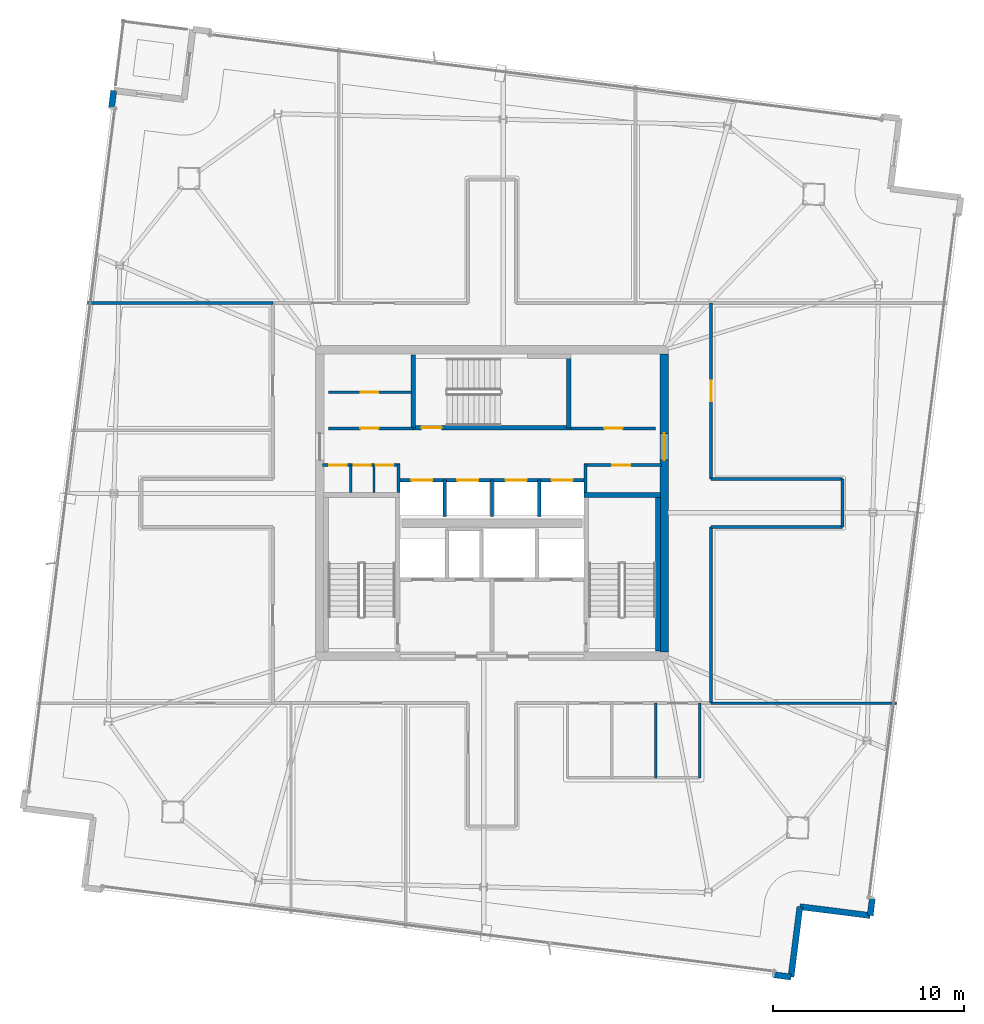
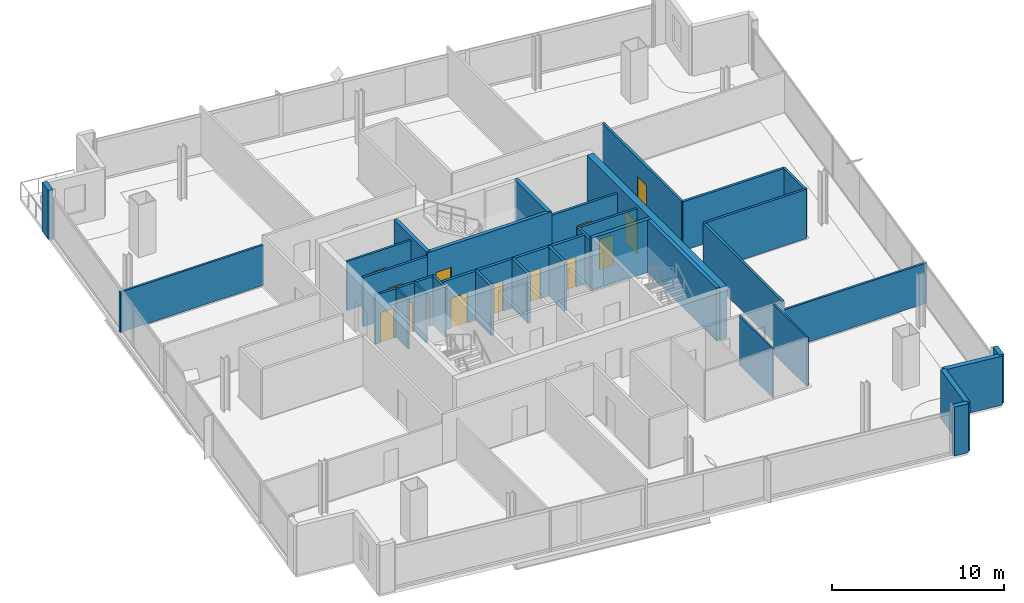
# One storey, part 19 of 23: 33 walls, 14 doors, 14 openings.
"""IFC4 building model written with IfcOpenShell, lengths in metres."""

from ifc_helpers import new_model, si_unit, direction, frame, frame_2d, origin, place, context, subcontext, project, spatial, rectangle, extrude, material, layer, layer_set, type_object, element, fill, save


model = new_model("IFC4")

# Units and contexts
model_context = context("Model", 3, precision=1e-05, world=origin(), true_north=direction((0.0, 1.0)))
body_context = subcontext(model_context, "Body", "Model", "MODEL_VIEW")
ifc_project = project(units=[si_unit("LENGTHUNIT", "METRE"), si_unit("AREAUNIT", "SQUARE_METRE"), si_unit("VOLUMEUNIT", "CUBIC_METRE"), si_unit("PLANEANGLEUNIT", "RADIAN"), si_unit("MASSUNIT", "GRAM", prefix="KILO")], contexts=[model_context])

# Site, building, storey
site_placement = place(None, origin())
site = spatial("IfcSite", under=ifc_project, at=site_placement, CompositionType="ELEMENT")
building_placement = place(site_placement, origin())
building = spatial("IfcBuilding", under=site, at=building_placement, Name="Haldenkirk Collegiate Tower", CompositionType="ELEMENT")
storey_placement = place(building_placement, frame((0.0, 0.0, 306.449951171875)))
storey = spatial("IfcBuildingStorey", under=building, at=storey_placement, Name="L77", CompositionType="ELEMENT", Elevation=306.449951171875)

# Wall, opening, door
ifc_material_1 = material(Name="Concrete f'c 55 MPa", Category="concrete")
ifc_layer_1 = layer(ifc_material_1, 0.449951171875)
ifc_layer_set_1 = layer_set([ifc_layer_1], Name="Concrete f'c 55 MPa")
wall_type_1 = type_object("IfcWallType", Name="WL-CORE-450", PredefinedType="SHEAR", material=ifc_layer_set_1)
wall_1_placement = place(storey_placement, frame((45.0, 18.22509765625, 0.0), z_axis=(0.0, 0.0, 1.0), x_axis=(0.0, 1.0, 0.0)))
wall_1 = element("IfcWall", 1, at=wall_1_placement, inside=storey, type_object=wall_type_1, Name="L77 central core shear wall E", PredefinedType="SHEAR", context=body_context, shape_type="SweptSolid", body=[
    extrude(rectangle(XDim=15.5498046875, YDim=0.449951171875, at=frame_2d((7.77490234375, 0.0))), origin(), (0.0, 0.0, 1.0), 3.75),
])
opening_1_placement = place(wall_1_placement, frame((10.014892578125, 0.0, 0.0)))
opening_1 = element("IfcOpeningElement", 2, at=opening_1_placement, cuts=wall_1, Name="Opening D-03", PredefinedType="OPENING", context=body_context, shape_type="SweptSolid", body=[
    extrude(rectangle(XDim=1.39990234375, YDim=2.199951171875, at=frame_2d((0.699951171875, 1.10009765625))), frame((0.0, 0.23486328125, 0.0), z_axis=(0.0, -1.0, 0.0), x_axis=(1.0, 0.0, 0.0)), (0.0, 0.0, 1.0), 0.469970703125),
])
ifc_material_2 = material(Name="Galvanized fire-rated hollow steel door", Category="steel")
ifc_layer_2 = layer(ifc_material_2, 0.06005859375)
ifc_layer_set_2 = layer_set([ifc_layer_2], Name="Galvanized fire-rated hollow steel door")
door_type_1 = type_object("IfcDoorType", Name="DR-LOBBY-FD90-1400", OperationType="NOTDEFINED", PredefinedType="DOOR", material=ifc_layer_set_2)
door_1_placement = place(opening_1_placement, origin())
door_1 = element("IfcDoor", 3, at=door_1_placement, inside=storey, type_object=door_type_1, Name="L77 east lift lobby portal", OperationType="DOUBLE_DOOR_SINGLE_SWING", OverallHeight=2.199951171875, OverallWidth=1.39990234375, PredefinedType="DOOR", context=body_context, shape_type="SweptSolid", body=[
    extrude(rectangle(XDim=1.39990234375, YDim=2.199951171875, at=frame_2d((0.699951171875, 1.10009765625))), frame((0.0, 0.02490234375, 0.0), z_axis=(0.0, -1.0, 0.0), x_axis=(1.0, 0.0, 0.0)), (0.0, 0.0, 1.0), 0.050048828125),
])
fill(opening_1, door_1)

# Walls
ifc_material_3 = material(Name="Precast concrete f'c 40 MPa", Category="concrete")
ifc_layer_3 = layer(ifc_material_3, 0.320068359375)
ifc_layer_set_3 = layer_set([ifc_layer_3], Name="Precast concrete f'c 40 MPa")
wall_type_2 = type_object("IfcWallType", Name="WL-EXT-TWR-320", PredefinedType="STANDARD", material=ifc_layer_set_3)
for number, where, z_axis, x_axis, name in (
    (4, (55.8681640625, 5.346923828125, 0.0), (0.0, 0.0, 1.0), (-0.125336828598, -0.992114247149, 0.0), "L77 precast corner pier SR"),
    (5, (16.1318359375, 46.653076171875, 0.0), (0.0, 0.0, 1.0), (0.125336828598, 0.992114247149, 0.0), "L77 precast corner pier NR"),
):
    element("IfcWall", number, at=place(storey_placement, frame(where, z_axis=z_axis, x_axis=x_axis)), inside=storey, type_object=wall_type_2, Name=name, PredefinedType="STANDARD", context=body_context, shape_type="SweptSolid", body=[
        extrude(rectangle(XDim=0.89990234375, YDim=0.320068359375, at=frame_2d((0.449951171875, 0.0))), origin(), (0.0, 0.0, 1.0), 3.489990234375),
    ])
wall_2_placement = place(storey_placement, frame((51.620849609375, 1.2470703125, 0.0), z_axis=(0.0, 0.0, 1.0), x_axis=(-0.99211850724, 0.125303102883, 0.0)))
element("IfcWall", 6, at=wall_2_placement, inside=storey, type_object=wall_type_2, Name="L77 precast corner pier WL", PredefinedType="STANDARD", context=body_context, shape_type="SweptSolid", body=[
    extrude(rectangle(XDim=0.900146484375, YDim=0.320068359375, at=frame_2d((0.4501953125, 0.0))), origin(), (0.0, 0.0, 1.0), 3.489990234375),
])
wall_3_placement = place(storey_placement, frame((52.08447265625, 4.917724609375, 0.0), z_axis=(0.0, 0.0, 1.0), x_axis=(-0.125309708082, -0.992117672991, 0.0)))
element("IfcWall", 7, at=wall_3_placement, inside=storey, type_object=wall_type_2, Name="L77 bronze precast notch wall 11", PredefinedType="STANDARD", context=body_context, shape_type="SweptSolid", body=[
    extrude(rectangle(XDim=3.69970703125, YDim=0.320068359375, at=frame_2d((1.849853515625, 0.0))), origin(), (0.0, 0.0, 1.0), 3.489990234375),
])
wall_4_placement = place(storey_placement, frame((55.75537109375, 4.4541015625, 0.0), z_axis=(0.0, 0.0, 1.0), x_axis=(-0.992118709055, 0.125301504954, 0.0)))
element("IfcWall", 8, at=wall_4_placement, inside=storey, type_object=wall_type_2, Name="L77 bronze precast notch wall 12", PredefinedType="STANDARD", context=body_context, shape_type="SweptSolid", body=[
    extrude(rectangle(XDim=3.699951171875, YDim=0.320068359375, at=frame_2d((1.85009765625, 0.0))), origin(), (0.0, 0.0, 1.0), 3.489990234375),
])

# Wall, openings, doors
ifc_material_4 = material(Name="Acoustic fire-rated gypsum partition", Category="concrete")
ifc_layer_4 = layer(ifc_material_4, 0.159912109375)
ifc_layer_set_4 = layer_set([ifc_layer_4], Name="Acoustic fire-rated gypsum partition")
wall_type_3 = type_object("IfcWallType", Name="WL-INT-CORR-160", PredefinedType="PARTITIONING", material=ifc_layer_set_4)
wall_5_placement = place(storey_placement, frame((27.14990234375, 27.97998046875, 0.0), z_axis=(0.0, 0.0, 1.0), x_axis=(1.0, 0.0, 0.0)))
wall_5 = element("IfcWall", 9, at=wall_5_placement, inside=storey, type_object=wall_type_3, Name="L77 interior partition IW-L77-VCSW-N", PredefinedType="PARTITIONING", context=body_context, shape_type="SweptSolid", body=[
    extrude(rectangle(XDim=4.050048828125, YDim=0.159912109375, at=frame_2d((2.02490234375, 0.0))), origin(), (0.0, 0.0, 1.0), 3.489990234375),
])
opening_2_placement = place(wall_5_placement, frame((0.360107421875, 0.0, 0.0)))
opening_2 = element("IfcOpeningElement", 10, at=opening_2_placement, cuts=wall_5, Name="Opening D-11", PredefinedType="OPENING", context=body_context, shape_type="SweptSolid", body=[
    extrude(rectangle(XDim=0.89990234375, YDim=2.14990234375, at=frame_2d((0.449951171875, 1.074951171875))), frame((0.0, 0.08984375, 0.0), z_axis=(0.0, -1.0, 0.0), x_axis=(1.0, 0.0, 0.0)), (0.0, 0.0, 1.0), 0.179931640625),
])
opening_3_placement = place(wall_5_placement, frame((1.6298828125, 0.0, 0.0)))
opening_3 = element("IfcOpeningElement", 11, at=opening_3_placement, cuts=wall_5, Name="Opening D-11", PredefinedType="OPENING", context=body_context, shape_type="SweptSolid", body=[
    extrude(rectangle(XDim=0.89990234375, YDim=2.14990234375, at=frame_2d((0.449951171875, 1.074951171875))), frame((0.0, 0.08984375, 0.0), z_axis=(0.0, -1.0, 0.0), x_axis=(1.0, 0.0, 0.0)), (0.0, 0.0, 1.0), 0.179931640625),
])
opening_4_placement = place(wall_5_placement, frame((2.78759765625, 0.0, 0.0)))
opening_4 = element("IfcOpeningElement", 12, at=opening_4_placement, cuts=wall_5, Name="Opening D-11", PredefinedType="OPENING", context=body_context, shape_type="SweptSolid", body=[
    extrude(rectangle(XDim=0.89990234375, YDim=2.14990234375, at=frame_2d((0.449951171875, 1.074951171875))), frame((0.0, 0.08984375, 0.0), z_axis=(0.0, -1.0, 0.0), x_axis=(1.0, 0.0, 0.0)), (0.0, 0.0, 1.0), 0.179931640625),
])
ifc_material_5 = material(Name="Solid-core architectural oak fire door", Category="wood")
ifc_layer_5 = layer(ifc_material_5, 0.06005859375)
ifc_layer_set_5 = layer_set([ifc_layer_5], Name="Solid-core architectural oak fire door")
door_type_2 = type_object("IfcDoorType", Name="DR-INT-FD60-900", OperationType="NOTDEFINED", PredefinedType="DOOR", material=ifc_layer_set_5)
door_2_placement = place(opening_2_placement, origin())
door_2 = element("IfcDoor", 13, at=door_2_placement, inside=storey, type_object=door_type_2, Name="L77 core study booth door", OperationType="SINGLE_SWING_LEFT", OverallHeight=2.14990234375, OverallWidth=0.89990234375, PredefinedType="DOOR", context=body_context, shape_type="SweptSolid", body=[
    extrude(rectangle(XDim=0.89990234375, YDim=2.14990234375, at=frame_2d((0.449951171875, 1.074951171875))), frame((0.0, 0.02490234375, 0.0), z_axis=(0.0, -1.0, 0.0), x_axis=(1.0, 0.0, 0.0)), (0.0, 0.0, 1.0), 0.050048828125),
])
fill(opening_2, door_2)
door_3_placement = place(opening_3_placement, origin())
door_3 = element("IfcDoor", 14, at=door_3_placement, inside=storey, type_object=door_type_2, Name="L77 core cleaners door", OperationType="SINGLE_SWING_RIGHT", OverallHeight=2.14990234375, OverallWidth=0.89990234375, PredefinedType="DOOR", context=body_context, shape_type="SweptSolid", body=[
    extrude(rectangle(XDim=0.89990234375, YDim=2.14990234375, at=frame_2d((0.449951171875, 1.074951171875))), frame((0.0, 0.02490234375, 0.0), z_axis=(0.0, -1.0, 0.0), x_axis=(1.0, 0.0, 0.0)), (0.0, 0.0, 1.0), 0.050048828125),
])
fill(opening_3, door_3)
door_4_placement = place(opening_4_placement, origin())
door_4 = element("IfcDoor", 15, at=door_4_placement, inside=storey, type_object=door_type_2, Name="L77 core stationery door", OperationType="SINGLE_SWING_LEFT", OverallHeight=2.14990234375, OverallWidth=0.89990234375, PredefinedType="DOOR", context=body_context, shape_type="SweptSolid", body=[
    extrude(rectangle(XDim=0.89990234375, YDim=2.14990234375, at=frame_2d((0.449951171875, 1.074951171875))), frame((0.0, 0.02490234375, 0.0), z_axis=(0.0, -1.0, 0.0), x_axis=(1.0, 0.0, 0.0)), (0.0, 0.0, 1.0), 0.050048828125),
])
fill(opening_4, door_4)

# Wall
wall_6_placement = place(storey_placement, frame((31.1201171875, 26.5400390625, 0.0), z_axis=(0.0, 0.0, 1.0), x_axis=(0.0, 1.0, 0.0)))
element("IfcWall", 16, at=wall_6_placement, inside=storey, type_object=wall_type_3, Name="L77 interior partition IW-L77-VCSW-E", PredefinedType="PARTITIONING", context=body_context, shape_type="SweptSolid", body=[
    extrude(rectangle(XDim=1.510009765625, YDim=0.159912109375, at=frame_2d((0.7548828125, 0.0))), origin(), (0.0, 0.0, 1.0), 3.489990234375),
])

# Wall, opening, door
wall_7_placement = place(storey_placement, frame((40.800048828125, 27.97998046875, 0.0), z_axis=(0.0, 0.0, 1.0), x_axis=(1.0, 0.0, 0.0)))
wall_7 = element("IfcWall", 17, at=wall_7_placement, inside=storey, type_object=wall_type_3, Name="L77 interior partition IW-L77-VCSE-N", PredefinedType="PARTITIONING", context=body_context, shape_type="SweptSolid", body=[
    extrude(rectangle(XDim=4.050048828125, YDim=0.159912109375, at=frame_2d((2.02490234375, 0.0))), origin(), (0.0, 0.0, 1.0), 3.489990234375),
])
opening_5_placement = place(wall_7_placement, frame((1.47509765625, 0.0, 0.0)))
opening_5 = element("IfcOpeningElement", 18, at=opening_5_placement, cuts=wall_7, Name="Opening D-10", PredefinedType="OPENING", context=body_context, shape_type="SweptSolid", body=[
    extrude(rectangle(XDim=0.949951171875, YDim=2.14990234375, at=frame_2d((0.47509765625, 1.074951171875))), frame((0.0, 0.08984375, 0.0), z_axis=(0.0, -1.0, 0.0), x_axis=(1.0, 0.0, 0.0)), (0.0, 0.0, 1.0), 0.179931640625),
])
ifc_layer_6 = layer(ifc_material_5, 0.06005859375)
ifc_layer_set_6 = layer_set([ifc_layer_6], Name="Solid-core architectural oak fire door")
door_type_3 = type_object("IfcDoorType", Name="DR-INT-FD60-950", OperationType="NOTDEFINED", PredefinedType="DOOR", material=ifc_layer_set_6)
door_5_placement = place(opening_5_placement, origin())
door_5 = element("IfcDoor", 19, at=door_5_placement, inside=storey, type_object=door_type_3, Name="L77 core archive vault door", OperationType="SINGLE_SWING_RIGHT", OverallHeight=2.14990234375, OverallWidth=0.949951171875, PredefinedType="DOOR", context=body_context, shape_type="SweptSolid", body=[
    extrude(rectangle(XDim=0.949951171875, YDim=2.14990234375, at=frame_2d((0.47509765625, 1.074951171875))), frame((0.0, 0.02490234375, 0.0), z_axis=(0.0, -1.0, 0.0), x_axis=(1.0, 0.0, 0.0)), (0.0, 0.0, 1.0), 0.050048828125),
])
fill(opening_5, door_5)

# Wall
wall_8_placement = place(storey_placement, frame((40.8798828125, 26.5400390625, 0.0), z_axis=(0.0, 0.0, 1.0), x_axis=(0.0, 1.0, 0.0)))
element("IfcWall", 20, at=wall_8_placement, inside=storey, type_object=wall_type_3, Name="L77 interior partition IW-L77-VCSE-W", PredefinedType="PARTITIONING", context=body_context, shape_type="SweptSolid", body=[
    extrude(rectangle(XDim=1.510009765625, YDim=0.159912109375, at=frame_2d((0.7548828125, 0.0))), origin(), (0.0, 0.0, 1.0), 3.489990234375),
])

# Wall, opening, door
wall_9_placement = place(storey_placement, frame((27.449951171875, 29.89990234375, 0.0), z_axis=(0.0, 0.0, 1.0), x_axis=(1.0, 0.0, 0.0)))
wall_9 = element("IfcWall", 21, at=wall_9_placement, inside=storey, type_object=wall_type_3, Name="L77 interior partition IW-L77-PLS", PredefinedType="PARTITIONING", context=body_context, shape_type="SweptSolid", body=[
    extrude(rectangle(XDim=4.429931640625, YDim=0.159912109375, at=frame_2d((2.21484375, 0.0))), origin(), (0.0, 0.0, 1.0), 3.489990234375),
])
opening_6_placement = place(wall_9_placement, frame((1.675048828125, 0.0, 0.0)))
opening_6 = element("IfcOpeningElement", 22, at=opening_6_placement, cuts=wall_9, Name="Opening D-10", PredefinedType="OPENING", context=body_context, shape_type="SweptSolid", body=[
    extrude(rectangle(XDim=0.949951171875, YDim=2.14990234375, at=frame_2d((0.47509765625, 1.074951171875))), frame((0.0, 0.08984375, 0.0), z_axis=(0.0, -1.0, 0.0), x_axis=(1.0, 0.0, 0.0)), (0.0, 0.0, 1.0), 0.179931640625),
])
door_6_placement = place(opening_6_placement, origin())
door_6 = element("IfcDoor", 23, at=door_6_placement, inside=storey, type_object=door_type_3, Name="L77 consultation door", OperationType="SINGLE_SWING_LEFT", OverallHeight=2.14990234375, OverallWidth=0.949951171875, PredefinedType="DOOR", context=body_context, shape_type="SweptSolid", body=[
    extrude(rectangle(XDim=0.949951171875, YDim=2.14990234375, at=frame_2d((0.47509765625, 1.074951171875))), frame((0.0, 0.02490234375, 0.0), z_axis=(0.0, -1.0, 0.0), x_axis=(1.0, 0.0, 0.0)), (0.0, 0.0, 1.0), 0.050048828125),
])
fill(opening_6, door_6)

wall_10_placement = place(storey_placement, frame((40.1201171875, 29.89990234375, 0.0), z_axis=(0.0, 0.0, 1.0), x_axis=(1.0, 0.0, 0.0)))
wall_10 = element("IfcWall", 24, at=wall_10_placement, inside=storey, type_object=wall_type_3, Name="L77 interior partition IW-L77-PMS", PredefinedType="PARTITIONING", context=body_context, shape_type="SweptSolid", body=[
    extrude(rectangle(XDim=4.429931640625, YDim=0.159912109375, at=frame_2d((2.21484375, 0.0))), origin(), (0.0, 0.0, 1.0), 3.489990234375),
])
opening_7_placement = place(wall_10_placement, frame((1.7548828125, 0.0, 0.0)))
opening_7 = element("IfcOpeningElement", 25, at=opening_7_placement, cuts=wall_10, Name="Opening D-10", PredefinedType="OPENING", context=body_context, shape_type="SweptSolid", body=[
    extrude(rectangle(XDim=0.949951171875, YDim=2.14990234375, at=frame_2d((0.47509765625, 1.074951171875))), frame((0.0, 0.08984375, 0.0), z_axis=(0.0, -1.0, 0.0), x_axis=(1.0, 0.0, 0.0)), (0.0, 0.0, 1.0), 0.179931640625),
])
door_7_placement = place(opening_7_placement, origin())
door_7 = element("IfcDoor", 26, at=door_7_placement, inside=storey, type_object=door_type_3, Name="L77 reference archive door", OperationType="SINGLE_SWING_LEFT", OverallHeight=2.14990234375, OverallWidth=0.949951171875, PredefinedType="DOOR", context=body_context, shape_type="SweptSolid", body=[
    extrude(rectangle(XDim=0.949951171875, YDim=2.14990234375, at=frame_2d((0.47509765625, 1.074951171875))), frame((0.0, 0.02490234375, 0.0), z_axis=(0.0, -1.0, 0.0), x_axis=(1.0, 0.0, 0.0)), (0.0, 0.0, 1.0), 0.050048828125),
])
fill(opening_7, door_7)

# Wall
wall_11_placement = place(storey_placement, frame((47.449951171875, 15.550048828125, 0.0), z_axis=(0.0, 0.0, 1.0), x_axis=(0.0, 1.0, 0.0)))
element("IfcWall", 27, at=wall_11_placement, inside=storey, type_object=wall_type_3, Name="L77 interior partition IW-L77-CE1", PredefinedType="PARTITIONING", context=body_context, shape_type="SweptSolid", body=[
    extrude(rectangle(XDim=9.199951171875, YDim=0.159912109375, at=frame_2d((4.60009765625, 0.0))), origin(), (0.0, 0.0, 1.0), 3.489990234375),
])

# Wall, opening, door
wall_12_placement = place(storey_placement, frame((47.449951171875, 27.25, 0.0), z_axis=(0.0, 0.0, 1.0), x_axis=(0.0, 1.0, 0.0)))
wall_12 = element("IfcWall", 28, at=wall_12_placement, inside=storey, type_object=wall_type_3, Name="L77 interior partition IW-L77-CE2", PredefinedType="PARTITIONING", context=body_context, shape_type="SweptSolid", body=[
    extrude(rectangle(XDim=9.199951171875, YDim=0.159912109375, at=frame_2d((4.60009765625, 0.0))), origin(), (0.0, 0.0, 1.0), 3.489990234375),
])
opening_8_placement = place(wall_12_placement, frame((4.074951171875, 0.0, 0.0)))
opening_8 = element("IfcOpeningElement", 29, at=opening_8_placement, cuts=wall_12, Name="Opening D-09", PredefinedType="OPENING", context=body_context, shape_type="SweptSolid", body=[
    extrude(rectangle(XDim=1.050048828125, YDim=2.14990234375, at=frame_2d((0.52490234375, 1.074951171875))), frame((0.0, 0.08984375, 0.0), z_axis=(0.0, -1.0, 0.0), x_axis=(1.0, 0.0, 0.0)), (0.0, 0.0, 1.0), 0.179931640625),
])
ifc_layer_7 = layer(ifc_material_5, 0.06005859375)
ifc_layer_set_7 = layer_set([ifc_layer_7], Name="Solid-core architectural oak fire door")
door_type_4 = type_object("IfcDoorType", Name="DR-INT-FD60-1050", OperationType="NOTDEFINED", PredefinedType="DOOR", material=ifc_layer_set_7)
door_8_placement = place(opening_8_placement, origin())
door_8 = element("IfcDoor", 30, at=door_8_placement, inside=storey, type_object=door_type_4, Name="L77 Ergonomics Clinic 9 door", OperationType="SINGLE_SWING_LEFT", OverallHeight=2.14990234375, OverallWidth=1.050048828125, PredefinedType="DOOR", context=body_context, shape_type="SweptSolid", body=[
    extrude(rectangle(XDim=1.050048828125, YDim=2.14990234375, at=frame_2d((0.52490234375, 1.074951171875))), frame((0.0, 0.02490234375, 0.0), z_axis=(0.0, -1.0, 0.0), x_axis=(1.0, 0.0, 0.0)), (0.0, 0.0, 1.0), 0.050048828125),
])
fill(opening_8, door_8)

# Walls
for number, where, z_axis, x_axis, name in (
    (31, (47.449951171875, 24.75, 0.0), (0.0, 0.0, 1.0), (1.0, 0.0, 0.0), "L77 interior partition IW-L77-EPS"),
    (32, (47.449951171875, 27.25, 0.0), (0.0, 0.0, 1.0), (1.0, 0.0, 0.0), "L77 interior partition IW-L77-EPN"),
):
    element("IfcWall", number, at=place(storey_placement, frame(where, z_axis=z_axis, x_axis=x_axis)), inside=storey, type_object=wall_type_3, Name=name, PredefinedType="PARTITIONING", context=body_context, shape_type="SweptSolid", body=[
        extrude(rectangle(XDim=6.85009765625, YDim=0.159912109375, at=frame_2d((3.425048828125, 0.0))), origin(), (0.0, 0.0, 1.0), 3.489990234375),
    ])
wall_13_placement = place(storey_placement, frame((54.300048828125, 24.75, 0.0), z_axis=(0.0, 0.0, 1.0), x_axis=(0.0, 1.0, 0.0)))
element("IfcWall", 33, at=wall_13_placement, inside=storey, type_object=wall_type_3, Name="L77 interior partition IW-L77-EPE", PredefinedType="PARTITIONING", context=body_context, shape_type="SweptSolid", body=[
    extrude(rectangle(XDim=2.5, YDim=0.159912109375, at=frame_2d((1.25, 0.0))), origin(), (0.0, 0.0, 1.0), 3.489990234375),
])

# Wall, opening, door
ifc_layer_8 = layer(ifc_material_4, 0.139892578125)
ifc_layer_set_8 = layer_set([ifc_layer_8], Name="Acoustic fire-rated gypsum partition")
wall_type_4 = type_object("IfcWallType", Name="WL-INT-DIV-140", PredefinedType="PARTITIONING", material=ifc_layer_set_8)
wall_14_placement = place(storey_placement, frame((27.449951171875, 31.780029296875, 0.0), z_axis=(0.0, 0.0, 1.0), x_axis=(1.0, 0.0, 0.0)))
wall_14 = element("IfcWall", 34, at=wall_14_placement, inside=storey, type_object=wall_type_4, Name="L77 interior partition IW-L77-PLDIVH", PredefinedType="PARTITIONING", context=body_context, shape_type="SweptSolid", body=[
    extrude(rectangle(XDim=4.35009765625, YDim=0.139892578125, at=frame_2d((2.175048828125, 0.0))), origin(), (0.0, 0.0, 1.0), 3.489990234375),
])
opening_9_placement = place(wall_14_placement, frame((1.699951171875, 0.0, 0.0)))
opening_9 = element("IfcOpeningElement", 35, at=opening_9_placement, cuts=wall_14, Name="Opening D-13", PredefinedType="OPENING", context=body_context, shape_type="SweptSolid", body=[
    extrude(rectangle(XDim=0.89990234375, YDim=2.14990234375, at=frame_2d((0.449951171875, 1.074951171875))), frame((0.0, 0.079833984375, 0.0), z_axis=(0.0, -1.0, 0.0), x_axis=(1.0, 0.0, 0.0)), (0.0, 0.0, 1.0), 0.159912109375),
])
ifc_layer_9 = layer(ifc_material_5, 0.06005859375)
ifc_layer_set_9 = layer_set([ifc_layer_9], Name="Solid-core architectural oak fire door")
door_type_5 = type_object("IfcDoorType", Name="DR-INT-STD-900", OperationType="NOTDEFINED", PredefinedType="DOOR", material=ifc_layer_set_9)
door_9_placement = place(opening_9_placement, origin())
door_9 = element("IfcDoor", 36, at=door_9_placement, inside=storey, type_object=door_type_5, Name="L77 folio vault door", OperationType="SINGLE_SWING_RIGHT", OverallHeight=2.14990234375, OverallWidth=0.89990234375, PredefinedType="DOOR", context=body_context, shape_type="SweptSolid", body=[
    extrude(rectangle(XDim=0.89990234375, YDim=2.14990234375, at=frame_2d((0.449951171875, 1.074951171875))), frame((0.0, 0.02490234375, 0.0), z_axis=(0.0, -1.0, 0.0), x_axis=(1.0, 0.0, 0.0)), (0.0, 0.0, 1.0), 0.050048828125),
])
fill(opening_9, door_9)

# Walls
for number, where, z_axis, x_axis, name in (
    (37, (14.88330078125, 36.449951171875, 0.0), (0.0, 0.0, 1.0), (1.0, 0.0, 0.0), "L77 interior partition IW-L77-BWN"),
    (38, (47.449951171875, 15.550048828125, 0.0), (0.0, 0.0, 1.0), (1.0, 0.0, 0.0), "L77 interior partition IW-L77-BES"),
):
    element("IfcWall", number, at=place(storey_placement, frame(where, z_axis=z_axis, x_axis=x_axis)), inside=storey, type_object=wall_type_4, Name=name, PredefinedType="PARTITIONING", context=body_context, shape_type="SweptSolid", body=[
        extrude(rectangle(XDim=9.666748046875, YDim=0.139892578125, at=frame_2d((4.83349609375, 0.0))), origin(), (0.0, 0.0, 1.0), 2.8681640625),
    ])

# Wall, openings, doors
ifc_material_6 = material(Name="Fire-rated gypsum shaftboard assembly", Category="concrete")
ifc_layer_10 = layer(ifc_material_6, 0.179931640625)
ifc_layer_set_10 = layer_set([ifc_layer_10], Name="Fire-rated gypsum shaftboard assembly")
wall_type_5 = type_object("IfcWallType", Name="WL-INT-SHAFT-180", PredefinedType="PARTITIONING", material=ifc_layer_set_10)
wall_15_placement = place(storey_placement, frame((31.199951171875, 27.199951171875, 0.0), z_axis=(0.0, 0.0, 1.0), x_axis=(1.0, 0.0, 0.0)))
wall_15 = element("IfcWall", 39, at=wall_15_placement, inside=storey, type_object=wall_type_5, Name="L77 interior partition IW-L77-PHN", PredefinedType="PARTITIONING", context=body_context, shape_type="SweptSolid", body=[
    extrude(rectangle(XDim=9.60009765625, YDim=0.179931640625, at=frame_2d((4.800048828125, 0.0))), origin(), (0.0, 0.0, 1.0), 3.489990234375),
])
opening_10_placement = place(wall_15_placement, frame((0.590087890625, 0.0, 0.0)))
opening_10 = element("IfcOpeningElement", 40, at=opening_10_placement, cuts=wall_15, Name="Opening LD-11", PredefinedType="OPENING", context=body_context, shape_type="SweptSolid", body=[
    extrude(rectangle(XDim=1.10009765625, YDim=2.14990234375, at=frame_2d((0.550048828125, 1.074951171875))), frame((0.0, 0.099853515625, 0.0), z_axis=(0.0, -1.0, 0.0), x_axis=(1.0, 0.0, 0.0)), (0.0, 0.0, 1.0), 0.199951171875),
])
opening_11_placement = place(wall_15_placement, frame((2.989990234375, 0.0, 0.0)))
opening_11 = element("IfcOpeningElement", 41, at=opening_11_placement, cuts=wall_15, Name="Opening LD-11", PredefinedType="OPENING", context=body_context, shape_type="SweptSolid", body=[
    extrude(rectangle(XDim=1.10009765625, YDim=2.14990234375, at=frame_2d((0.550048828125, 1.074951171875))), frame((0.0, 0.099853515625, 0.0), z_axis=(0.0, -1.0, 0.0), x_axis=(1.0, 0.0, 0.0)), (0.0, 0.0, 1.0), 0.199951171875),
])
opening_12_placement = place(wall_15_placement, frame((5.510009765625, 0.0, 0.0)))
opening_12 = element("IfcOpeningElement", 42, at=opening_12_placement, cuts=wall_15, Name="Opening LD-11", PredefinedType="OPENING", context=body_context, shape_type="SweptSolid", body=[
    extrude(rectangle(XDim=1.10009765625, YDim=2.14990234375, at=frame_2d((0.550048828125, 1.074951171875))), frame((0.0, 0.099853515625, 0.0), z_axis=(0.0, -1.0, 0.0), x_axis=(1.0, 0.0, 0.0)), (0.0, 0.0, 1.0), 0.199951171875),
])
opening_13_placement = place(wall_15_placement, frame((7.909912109375, 0.0, 0.0)))
opening_13 = element("IfcOpeningElement", 43, at=opening_13_placement, cuts=wall_15, Name="Opening LD-11", PredefinedType="OPENING", context=body_context, shape_type="SweptSolid", body=[
    extrude(rectangle(XDim=1.10009765625, YDim=2.14990234375, at=frame_2d((0.550048828125, 1.074951171875))), frame((0.0, 0.099853515625, 0.0), z_axis=(0.0, -1.0, 0.0), x_axis=(1.0, 0.0, 0.0)), (0.0, 0.0, 1.0), 0.199951171875),
])
ifc_material_7 = material(Name="Brushed architectural stainless steel", Category="steel")
ifc_layer_11 = layer(ifc_material_7, 0.06005859375)
ifc_layer_set_11 = layer_set([ifc_layer_11], Name="Brushed architectural stainless steel")
door_type_6 = type_object("IfcDoorType", Name="LD-PASS-1100", OperationType="NOTDEFINED", PredefinedType="DOOR", material=ifc_layer_set_11)
door_10_placement = place(opening_10_placement, origin())
door_10 = element("IfcDoor", 44, at=door_10_placement, inside=storey, type_object=door_type_6, Name="L77 Elevator PH1 sliding landing door", OperationType="SLIDING_TO_LEFT", OverallHeight=2.14990234375, OverallWidth=1.10009765625, PredefinedType="DOOR", context=body_context, shape_type="SweptSolid", body=[
    extrude(rectangle(XDim=1.10009765625, YDim=2.14990234375, at=frame_2d((0.550048828125, 1.074951171875))), frame((0.0, 0.02490234375, 0.0), z_axis=(0.0, -1.0, 0.0), x_axis=(1.0, 0.0, 0.0)), (0.0, 0.0, 1.0), 0.050048828125),
])
fill(opening_10, door_10)
door_11_placement = place(opening_11_placement, origin())
door_11 = element("IfcDoor", 45, at=door_11_placement, inside=storey, type_object=door_type_6, Name="L77 Elevator PH2 sliding landing door", OperationType="SLIDING_TO_LEFT", OverallHeight=2.14990234375, OverallWidth=1.10009765625, PredefinedType="DOOR", context=body_context, shape_type="SweptSolid", body=[
    extrude(rectangle(XDim=1.10009765625, YDim=2.14990234375, at=frame_2d((0.550048828125, 1.074951171875))), frame((0.0, 0.02490234375, 0.0), z_axis=(0.0, -1.0, 0.0), x_axis=(1.0, 0.0, 0.0)), (0.0, 0.0, 1.0), 0.050048828125),
])
fill(opening_11, door_11)
door_12_placement = place(opening_12_placement, origin())
door_12 = element("IfcDoor", 46, at=door_12_placement, inside=storey, type_object=door_type_6, Name="L77 Elevator PH3 sliding landing door", OperationType="SLIDING_TO_LEFT", OverallHeight=2.14990234375, OverallWidth=1.10009765625, PredefinedType="DOOR", context=body_context, shape_type="SweptSolid", body=[
    extrude(rectangle(XDim=1.10009765625, YDim=2.14990234375, at=frame_2d((0.550048828125, 1.074951171875))), frame((0.0, 0.02490234375, 0.0), z_axis=(0.0, -1.0, 0.0), x_axis=(1.0, 0.0, 0.0)), (0.0, 0.0, 1.0), 0.050048828125),
])
fill(opening_12, door_12)
door_13_placement = place(opening_13_placement, origin())
door_13 = element("IfcDoor", 47, at=door_13_placement, inside=storey, type_object=door_type_6, Name="L77 Elevator PH4 sliding landing door", OperationType="SLIDING_TO_LEFT", OverallHeight=2.14990234375, OverallWidth=1.10009765625, PredefinedType="DOOR", context=body_context, shape_type="SweptSolid", body=[
    extrude(rectangle(XDim=1.10009765625, YDim=2.14990234375, at=frame_2d((0.550048828125, 1.074951171875))), frame((0.0, 0.02490234375, 0.0), z_axis=(0.0, -1.0, 0.0), x_axis=(1.0, 0.0, 0.0)), (0.0, 0.0, 1.0), 0.050048828125),
])
fill(opening_13, door_13)

# Walls
for number, where, z_axis, x_axis, name in (
    (48, (33.5400390625, 25.300048828125, 0.0), (0.0, 0.0, 1.0), (0.0, 1.0, 0.0), "L77 interior partition IW-L77-PHV1"),
    (49, (36.0, 25.300048828125, 0.0), (0.0, 0.0, 1.0), (0.0, 1.0, 0.0), "L77 interior partition IW-L77-PHV2"),
    (50, (38.4599609375, 25.300048828125, 0.0), (0.0, 0.0, 1.0), (0.0, 1.0, 0.0), "L77 interior partition IW-L77-PHV3"),
):
    element("IfcWall", number, at=place(storey_placement, frame(where, z_axis=z_axis, x_axis=x_axis)), inside=storey, type_object=wall_type_5, Name=name, PredefinedType="PARTITIONING", context=body_context, shape_type="SweptSolid", body=[
        extrude(rectangle(XDim=1.89990234375, YDim=0.179931640625, at=frame_2d((0.949951171875, 0.0))), origin(), (0.0, 0.0, 1.0), 3.489990234375),
    ])
ifc_layer_12 = layer(ifc_material_4, 0.1201171875)
ifc_layer_set_12 = layer_set([ifc_layer_12], Name="Acoustic fire-rated gypsum partition")
wall_type_6 = type_object("IfcWallType", Name="WL-INT-WET-120", PredefinedType="PARTITIONING", material=ifc_layer_set_12)
for number, where, z_axis, x_axis, name in (
    (51, (28.6201171875, 26.5400390625, 0.0), (0.0, 0.0, 1.0), (0.0, 1.0, 0.0), "L77 interior partition IW-L77-VCSW-M1"),
    (52, (29.840087890625, 26.5400390625, 0.0), (0.0, 0.0, 1.0), (0.0, 1.0, 0.0), "L77 interior partition IW-L77-VCSW-M2"),
):
    element("IfcWall", number, at=place(storey_placement, frame(where, z_axis=z_axis, x_axis=x_axis)), inside=storey, type_object=wall_type_6, Name=name, PredefinedType="PARTITIONING", context=body_context, shape_type="SweptSolid", body=[
        extrude(rectangle(XDim=1.43994140625, YDim=0.1201171875, at=frame_2d((0.719970703125, 0.0))), origin(), (0.0, 0.0, 1.0), 3.489990234375),
    ])
for number, where, z_axis, x_axis, name in (
    (53, (44.550048828125, 11.64990234375, 0.0), (0.0, 0.0, 1.0), (0.0, 1.0, 0.0), "L77 interior partition IW-L77-WC2"),
    (54, (46.85009765625, 11.64990234375, 0.0), (0.0, 0.0, 1.0), (0.0, 1.0, 0.0), "L77 interior partition IW-L77-WCE"),
):
    element("IfcWall", number, at=place(storey_placement, frame(where, z_axis=z_axis, x_axis=x_axis)), inside=storey, type_object=wall_type_6, Name=name, PredefinedType="PARTITIONING", context=body_context, shape_type="SweptSolid", body=[
        extrude(rectangle(XDim=3.900146484375, YDim=0.1201171875, at=frame_2d((1.9501953125, 0.0))), origin(), (0.0, 0.0, 1.0), 3.489990234375),
    ])
ifc_layer_13 = layer(ifc_material_1, 0.239990234375)
ifc_layer_set_13 = layer_set([ifc_layer_13], Name="Concrete f'c 55 MPa")
wall_type_7 = type_object("IfcWallType", Name="WL-SHAFT-240", PredefinedType="SHEAR", material=ifc_layer_set_13)
wall_16_placement = place(storey_placement, frame((40.81005859375, 26.419921875, 0.0), z_axis=(0.0, 0.0, 1.0), x_axis=(1.0, 0.0, 0.0)))
element("IfcWall", 55, at=wall_16_placement, inside=storey, type_object=wall_type_7, Name="L77 stair shaft shear wall SW-L77-ST2N", PredefinedType="SHEAR", context=body_context, shape_type="SweptSolid", body=[
    extrude(rectangle(XDim=3.97998046875, YDim=0.239990234375, at=frame_2d((1.989990234375, 0.0))), origin(), (0.0, 0.0, 1.0), 3.75),
])
wall_17_placement = place(storey_placement, frame((44.669921875, 18.280029296875, 0.0), z_axis=(0.0, 0.0, 1.0), x_axis=(0.0, 1.0, 0.0)))
element("IfcWall", 56, at=wall_17_placement, inside=storey, type_object=wall_type_7, Name="L77 stair shaft shear wall SW-L77-ST2E", PredefinedType="SHEAR", context=body_context, shape_type="SweptSolid", body=[
    extrude(rectangle(XDim=8.260009765625, YDim=0.239990234375, at=frame_2d((4.1298828125, 0.0))), origin(), (0.0, 0.0, 1.0), 3.75),
])

# Wall, opening, door
wall_18_placement = place(storey_placement, frame((31.760009765625, 29.929931640625, 0.0), z_axis=(0.0, 0.0, 1.0), x_axis=(1.0, 0.0, 0.0)))
wall_18 = element("IfcWall", 57, at=wall_18_placement, inside=storey, type_object=wall_type_7, Name="L77 stair shaft shear wall SW-L77-ST3S", PredefinedType="SHEAR", context=body_context, shape_type="SweptSolid", body=[
    extrude(rectangle(XDim=8.3798828125, YDim=0.239990234375, at=frame_2d((4.18994140625, 0.0))), origin(), (0.0, 0.0, 1.0), 3.75),
])
opening_14_placement = place(wall_18_placement, frame((0.56494140625, 0.0, 0.0)))
opening_14 = element("IfcOpeningElement", 58, at=opening_14_placement, cuts=wall_18, Name="Opening D-01", PredefinedType="OPENING", context=body_context, shape_type="SweptSolid", body=[
    extrude(rectangle(XDim=1.050048828125, YDim=2.14990234375, at=frame_2d((0.52490234375, 1.074951171875))), frame((0.0, 0.1298828125, 0.0), z_axis=(0.0, -1.0, 0.0), x_axis=(1.0, 0.0, 0.0)), (0.0, 0.0, 1.0), 0.260009765625),
])
ifc_layer_14 = layer(ifc_material_2, 0.06005859375)
ifc_layer_set_14 = layer_set([ifc_layer_14], Name="Galvanized fire-rated hollow steel door")
door_type_7 = type_object("IfcDoorType", Name="DR-STAIR-FD90-1050", OperationType="NOTDEFINED", PredefinedType="DOOR", material=ifc_layer_set_14)
door_14_placement = place(opening_14_placement, origin())
door_14 = element("IfcDoor", 59, at=door_14_placement, inside=storey, type_object=door_type_7, Name="L77 lift lobby Stair 3 door", OperationType="SINGLE_SWING_RIGHT", OverallHeight=2.14990234375, OverallWidth=1.050048828125, PredefinedType="DOOR", context=body_context, shape_type="SweptSolid", body=[
    extrude(rectangle(XDim=1.050048828125, YDim=2.14990234375, at=frame_2d((0.52490234375, 1.074951171875))), frame((0.0, 0.02490234375, 0.0), z_axis=(0.0, -1.0, 0.0), x_axis=(1.0, 0.0, 0.0)), (0.0, 0.0, 1.0), 0.050048828125),
])
fill(opening_14, door_14)

# Walls
wall_19_placement = place(storey_placement, frame((31.8798828125, 29.929931640625, 0.0), z_axis=(0.0, 0.0, 1.0), x_axis=(0.0, 1.0, 0.0)))
element("IfcWall", 60, at=wall_19_placement, inside=storey, type_object=wall_type_7, Name="L77 stair shaft shear wall SW-L77-ST3W", PredefinedType="SHEAR", context=body_context, shape_type="SweptSolid", body=[
    extrude(rectangle(XDim=3.7900390625, YDim=0.239990234375, at=frame_2d((1.89501953125, 0.0))), origin(), (0.0, 0.0, 1.0), 3.75),
])
wall_20_placement = place(storey_placement, frame((40.02001953125, 29.929931640625, 0.0), z_axis=(0.0, 0.0, 1.0), x_axis=(0.0, 1.0, 0.0)))
element("IfcWall", 61, at=wall_20_placement, inside=storey, type_object=wall_type_7, Name="L77 stair shaft shear wall SW-L77-ST3E", PredefinedType="SHEAR", context=body_context, shape_type="SweptSolid", body=[
    extrude(rectangle(XDim=3.85009765625, YDim=0.239990234375, at=frame_2d((1.925048828125, 0.0))), origin(), (0.0, 0.0, 1.0), 3.75),
])

save(model, "model.ifc")
